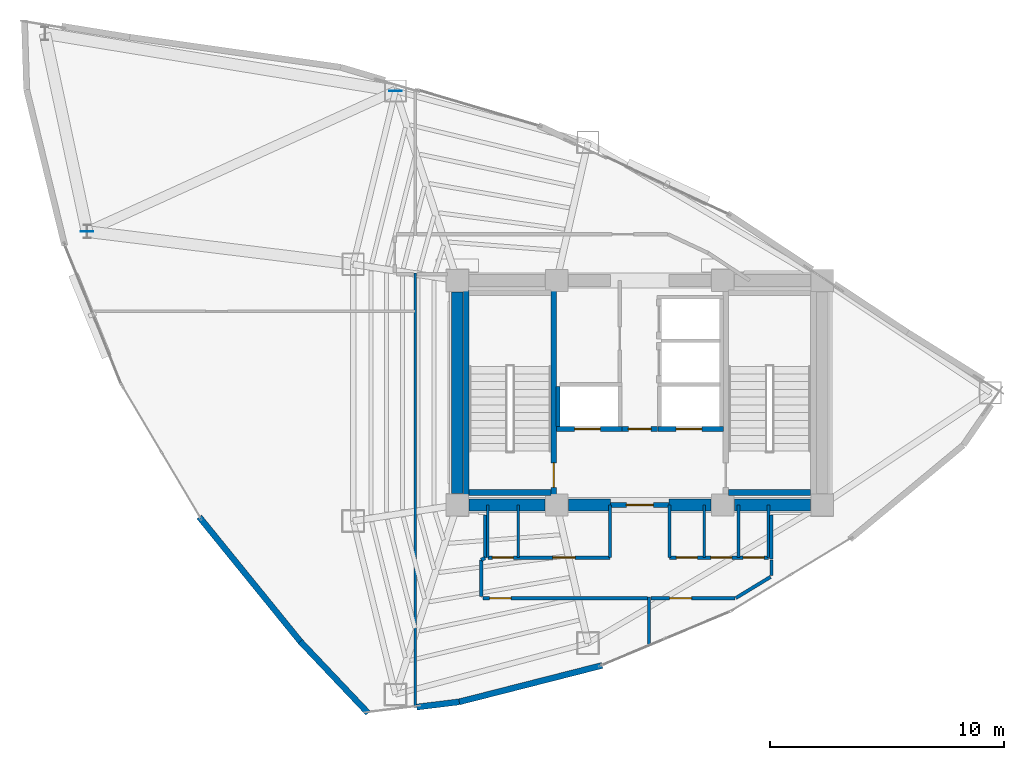
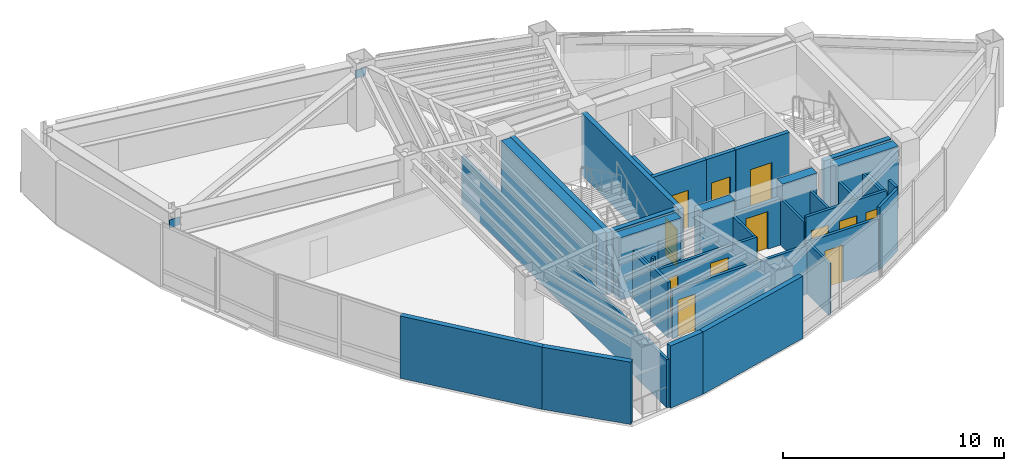
# One storey, part 12 of 16: 37 walls, 12 doors, 2 plates, 12 openings.
"""IFC4 building model written with IfcOpenShell, lengths in metres."""

from ifc_helpers import new_model, si_unit, direction, frame, frame_2d, origin, origin_2d, place, context, subcontext, project, spatial, rectangle, extrude, material, layer, layer_set, type_object, element, fill, save


model = new_model("IFC4")

# Units and contexts
model_context = context("Model", 3, precision=1e-05, world=origin(), true_north=direction((0.0, 1.0)))
body_context = subcontext(model_context, "Body", "Model", "MODEL_VIEW")
ifc_project = project(units=[si_unit("LENGTHUNIT", "METRE"), si_unit("AREAUNIT", "SQUARE_METRE"), si_unit("VOLUMEUNIT", "CUBIC_METRE"), si_unit("PLANEANGLEUNIT", "RADIAN"), si_unit("MASSUNIT", "GRAM", prefix="KILO")], contexts=[model_context])

# Site, building, storey
site_placement = place(None, origin())
site = spatial("IfcSite", under=ifc_project, at=site_placement, CompositionType="ELEMENT")
building_placement = place(site_placement, origin())
building = spatial("IfcBuilding", under=site, at=building_placement, Name="Menara Vayukalpa", CompositionType="ELEMENT")
storey_placement = place(building_placement, frame((0.0, 0.0, 202.679931640625)))
storey = spatial("IfcBuildingStorey", under=building, at=storey_placement, Name="L51", CompositionType="ELEMENT", Elevation=202.679931640625)

# Plates
ifc_material_1 = material(Name="Steel S355", Category="steel")
ifc_layer_1 = layer(ifc_material_1, 0.028076171875)
ifc_layer_set_1 = layer_set([ifc_layer_1], Name="Steel S355")
plate_type = type_object("IfcPlateType", Name="PLT-END1", PredefinedType="USERDEFINED", material=ifc_layer_set_1)
for number, where, z_axis, x_axis, name in (
    (1, (15.15478515625, 34.902587890625, 2.59521484375), (0.0, 0.0, 1.0), (1.0, 0.0, 0.0), "L51 Structural Brace End Gusset Plate 070"),
    (2, (1.96630859375, 28.889404296875, 2.59521484375), (0.0, 0.0, 1.0), (1.0, 0.0, 0.0), "L51 Structural Brace End Gusset Plate 071"),
):
    element("IfcPlate", number, at=place(storey_placement, frame(where, z_axis=z_axis, x_axis=x_axis)), inside=storey, type_object=plate_type, Name=name, ObjectType="GUSSET_PLATE", PredefinedType="USERDEFINED", context=body_context, shape_type="SweptSolid", body=[
        extrude(rectangle(XDim=0.5400390625, YDim=0.028076171875, at=origin_2d()), origin(), (0.0, 0.0, 1.0), 0.43994140625),
    ])

# Walls
ifc_material_2 = material(Name="Concrete C60/75", Category="concrete")
ifc_layer_2 = layer(ifc_material_2, 0.5)
ifc_layer_set_2 = layer_set([ifc_layer_2], Name="Concrete C60/75")
wall_type_1 = type_object("IfcWallType", Name="WAL-CW500", PredefinedType="SHEAR", material=ifc_layer_set_2)
wall_1_placement = place(storey_placement, frame((18.294921875, 17.199951171875, 0.0), z_axis=(0.0, 0.0, 1.0), x_axis=(1.0, 0.0, 0.0)))
element("IfcWall", 3, at=wall_1_placement, inside=storey, type_object=wall_type_1, Name="L51 Buttressed Core Shear Wall CWS1", PredefinedType="SHEAR", context=body_context, shape_type="SweptSolid", body=[
    extrude(rectangle(XDim=3.260009765625, YDim=0.5, at=frame_2d((1.6298828125, 0.0))), origin(), (0.0, 0.0, 1.0), 3.440185546875),
])
wall_2_placement = place(storey_placement, frame((22.544921875, 17.199951171875, 0.0), z_axis=(0.0, 0.0, 1.0), x_axis=(1.0, 0.0, 0.0)))
element("IfcWall", 4, at=wall_2_placement, inside=storey, type_object=wall_type_1, Name="L51 Buttressed Core Shear Wall CWS2", PredefinedType="SHEAR", context=body_context, shape_type="SweptSolid", body=[
    extrude(rectangle(XDim=1.80517578125, YDim=0.5, at=frame_2d((0.902587890625, 0.0))), origin(), (0.0, 0.0, 1.0), 3.440185546875),
])
wall_3_placement = place(storey_placement, frame((26.85009765625, 17.199951171875, 0.0), z_axis=(0.0, 0.0, 1.0), x_axis=(1.0, 0.0, 0.0)))
element("IfcWall", 5, at=wall_3_placement, inside=storey, type_object=wall_type_1, Name="L51 Buttressed Core Shear Wall CWS3", PredefinedType="SHEAR", context=body_context, shape_type="SweptSolid", body=[
    extrude(rectangle(XDim=1.804931640625, YDim=0.5, at=frame_2d((0.90234375, 0.0))), origin(), (0.0, 0.0, 1.0), 3.440185546875),
])
wall_4_placement = place(storey_placement, frame((29.64501953125, 17.199951171875, 0.0), z_axis=(0.0, 0.0, 1.0), x_axis=(1.0, 0.0, 0.0)))
element("IfcWall", 6, at=wall_4_placement, inside=storey, type_object=wall_type_1, Name="L51 Buttressed Core Shear Wall CWS4", PredefinedType="SHEAR", context=body_context, shape_type="SweptSolid", body=[
    extrude(rectangle(XDim=3.260009765625, YDim=0.5, at=frame_2d((1.6298828125, 0.0))), origin(), (0.0, 0.0, 1.0), 3.440185546875),
])
wall_5_placement = place(storey_placement, frame((17.800048828125, 17.695068359375, 0.0), z_axis=(0.0, 0.0, 1.0), x_axis=(0.0, 1.0, 0.0)))
element("IfcWall", 7, at=wall_5_placement, inside=storey, type_object=wall_type_1, Name="L51 Buttressed Core Shear Wall CWW1", PredefinedType="SHEAR", context=body_context, shape_type="SweptSolid", body=[
    extrude(rectangle(XDim=8.60986328125, YDim=0.5, at=frame_2d((4.304931640625, 0.0))), origin(), (0.0, 0.0, 1.0), 3.440185546875),
])
ifc_material_3 = material(Name="Insulated Precast Concrete C40/50", Category="concrete")
ifc_layer_3 = layer(ifc_material_3, 0.260009765625)
ifc_layer_set_3 = layer_set([ifc_layer_3], Name="Insulated Precast Concrete C40/50")
wall_type_2 = type_object("IfcWallType", Name="WAL-EXT260", PredefinedType="PARTITIONING", material=ifc_layer_set_3)
wall_6_placement = place(storey_placement, frame((11.09228515625, 11.352783203125, 0.0), z_axis=(0.0, 0.0, 1.0), x_axis=(-0.630146833264, 0.77647599353, 0.0)))
element("IfcWall", 8, at=wall_6_placement, inside=storey, type_object=wall_type_2, Name="L51 Perimeter Terracotta Pier Wall 15", PredefinedType="PARTITIONING", context=body_context, shape_type="SweptSolid", body=[
    extrude(rectangle(XDim=6.8671875, YDim=0.260009765625, at=frame_2d((3.43359375, 0.0))), origin(), (0.0, 0.0, 1.0), 3.440185546875),
])
wall_7_placement = place(storey_placement, frame((13.982177734375, 8.302978515625, 0.0), z_axis=(0.0, 0.0, 1.0), x_axis=(-0.687757504743, 0.725940503533, 0.0)))
element("IfcWall", 9, at=wall_7_placement, inside=storey, type_object=wall_type_2, Name="L51 Perimeter Terracotta Pier Wall 16", PredefinedType="PARTITIONING", context=body_context, shape_type="SweptSolid", body=[
    extrude(rectangle(XDim=4.213623046875, YDim=0.260009765625, at=frame_2d((2.10693359375, 0.0))), origin(), (0.0, 0.0, 1.0), 3.440185546875),
])
wall_8_placement = place(storey_placement, frame((17.881591796875, 8.779296875, 0.0), z_axis=(0.0, 0.0, 1.0), x_axis=(-0.992628301661, -0.121198410642, 0.0)))
element("IfcWall", 10, at=wall_8_placement, inside=storey, type_object=wall_type_2, Name="L51 Perimeter Terracotta Pier Wall 17", PredefinedType="PARTITIONING", context=body_context, shape_type="SweptSolid", body=[
    extrude(rectangle(XDim=1.8330078125, YDim=0.260009765625, at=frame_2d((0.91650390625, 0.0))), origin(), (0.0, 0.0, 1.0), 3.440185546875),
])
wall_9_placement = place(storey_placement, frame((23.9951171875, 10.338623046875, 0.0), z_axis=(0.0, 0.0, 1.0), x_axis=(-0.968977477196, -0.247149041446, 0.0)))
element("IfcWall", 11, at=wall_9_placement, inside=storey, type_object=wall_type_2, Name="L51 Perimeter Terracotta Pier Wall 18", PredefinedType="PARTITIONING", context=body_context, shape_type="SweptSolid", body=[
    extrude(rectangle(XDim=6.309326171875, YDim=0.260009765625, at=frame_2d((3.15478515625, 0.0))), origin(), (0.0, 0.0, 1.0), 3.440185546875),
])
ifc_material_4 = material(Name="Lightweight Concrete Blockwork C16/20", Category="masonry")
ifc_layer_4 = layer(ifc_material_4, 0.159912109375)
ifc_layer_set_4 = layer_set([ifc_layer_4], Name="Lightweight Concrete Blockwork C16/20")
wall_type_3 = type_object("IfcWallType", Name="WAL-FR150", PredefinedType="PARTITIONING", material=ifc_layer_set_4)
wall_10_placement = place(storey_placement, frame((22.10498046875, 20.56005859375, 0.0), z_axis=(0.0, 0.0, 1.0), x_axis=(0.0, 1.0, 0.0)))
element("IfcWall", 12, at=wall_10_placement, inside=storey, type_object=wall_type_3, Name="L51 Interior Partition IW-L51-SHW-WW", PredefinedType="PARTITIONING", context=body_context, shape_type="SweptSolid", body=[
    extrude(rectangle(XDim=1.7099609375, YDim=0.159912109375, at=frame_2d((0.85498046875, 0.0))), origin(), (0.0, 0.0, 1.0), 3.440185546875),
])

# Wall, opening, door
ifc_material_5 = material(Name="Lightweight Concrete Blockwork C16/20", Category="masonry")
ifc_layer_5 = layer(ifc_material_5, 0.199951171875)
ifc_layer_set_5 = layer_set([ifc_layer_5], Name="Lightweight Concrete Blockwork C16/20")
wall_type_4 = type_object("IfcWallType", Name="WAL-FR200", PredefinedType="PARTITIONING", material=ifc_layer_set_5)
wall_11_placement = place(storey_placement, frame((24.35009765625, 17.199951171875, 0.0), z_axis=(0.0, 0.0, 1.0), x_axis=(1.0, 0.0, 0.0)))
wall_11 = element("IfcWall", 13, at=wall_11_placement, inside=storey, type_object=wall_type_4, Name="L51 Interior Partition IW-L51-FFLS", PredefinedType="PARTITIONING", context=body_context, shape_type="SweptSolid", body=[
    extrude(rectangle(XDim=2.5, YDim=0.199951171875, at=frame_2d((1.25, 0.0))), origin(), (0.0, 0.0, 1.0), 2.570068359375),
])
opening_1_placement = place(wall_11_placement, frame((0.679931640625, 0.0, 0.0)))
opening_1 = element("IfcOpeningElement", 14, at=opening_1_placement, cuts=wall_11, Name="Opening ID2", PredefinedType="OPENING", context=body_context, shape_type="SweptSolid", body=[
    extrude(rectangle(XDim=1.14990234375, YDim=2.080078125, at=frame_2d((0.574951171875, 1.0400390625))), frame((0.0, 0.10986328125, 0.0), z_axis=(0.0, -1.0, 0.0), x_axis=(1.0, 0.0, 0.0)), (0.0, 0.0, 1.0), 0.219970703125),
])
ifc_material_6 = material(Name="Fire-Rated Powder-Coated Steel Door", Category="steel")
door_type_1 = type_object("IfcDoorType", Name="DR-FD60W", OperationType="NOTDEFINED", PredefinedType="DOOR", material=ifc_material_6)
door_1_placement = place(opening_1_placement, origin())
door_1 = element("IfcDoor", 15, at=door_1_placement, inside=storey, type_object=door_type_1, Name="L51 Interior Door DR-L51-FFLS", OperationType="SINGLE_SWING_RIGHT", OverallHeight=2.080078125, OverallWidth=1.14990234375, PredefinedType="DOOR", context=body_context, shape_type="SweptSolid", body=[
    extrude(rectangle(XDim=1.14990234375, YDim=2.080078125, at=frame_2d((0.574951171875, 1.0400390625))), frame((0.0, 0.02490234375, 0.0), z_axis=(0.0, -1.0, 0.0), x_axis=(1.0, 0.0, 0.0)), (0.0, 0.0, 1.0), 0.050048828125),
])
fill(opening_1, door_1)

wall_12_placement = place(storey_placement, frame((24.840087890625, 20.449951171875, 0.0), z_axis=(0.0, 0.0, 1.0), x_axis=(1.0, 0.0, 0.0)))
wall_12 = element("IfcWall", 16, at=wall_12_placement, inside=storey, type_object=wall_type_4, Name="L51 Interior Partition IW-L51-FFLN", PredefinedType="PARTITIONING", context=body_context, shape_type="SweptSolid", body=[
    extrude(rectangle(XDim=1.52001953125, YDim=0.199951171875, at=frame_2d((0.760009765625, 0.0))), origin(), (0.0, 0.0, 1.0), 3.440185546875),
])
opening_2_placement = place(wall_12_placement, frame((0.27001953125, 0.0, 0.0)))
opening_2 = element("IfcOpeningElement", 17, at=opening_2_placement, cuts=wall_12, Name="Opening ID3", PredefinedType="OPENING", context=body_context, shape_type="SweptSolid", body=[
    extrude(rectangle(XDim=0.97998046875, YDim=2.06005859375, at=frame_2d((0.489990234375, 1.030029296875))), frame((0.0, 0.10986328125, 0.0), z_axis=(0.0, -1.0, 0.0), x_axis=(1.0, 0.0, 0.0)), (0.0, 0.0, 1.0), 0.219970703125),
])
ifc_material_7 = material(Name="Fire-Rated Powder-Coated Steel Door", Category="steel")
door_type_2 = type_object("IfcDoorType", Name="DR-FD60", OperationType="NOTDEFINED", PredefinedType="DOOR", material=ifc_material_7)
door_2_placement = place(opening_2_placement, origin())
door_2 = element("IfcDoor", 18, at=door_2_placement, inside=storey, type_object=door_type_2, Name="L51 Interior Door DR-L51-FFLN", OperationType="SINGLE_SWING_LEFT", OverallHeight=2.06005859375, OverallWidth=0.97998046875, PredefinedType="DOOR", context=body_context, shape_type="SweptSolid", body=[
    extrude(rectangle(XDim=0.97998046875, YDim=2.06005859375, at=frame_2d((0.489990234375, 1.030029296875))), frame((0.0, 0.02490234375, 0.0), z_axis=(0.0, -1.0, 0.0), x_axis=(1.0, 0.0, 0.0)), (0.0, 0.0, 1.0), 0.050048828125),
])
fill(opening_2, door_2)

wall_13_placement = place(storey_placement, frame((22.030029296875, 20.449951171875, 0.0), z_axis=(0.0, 0.0, 1.0), x_axis=(1.0, 0.0, 0.0)))
wall_13 = element("IfcWall", 19, at=wall_13_placement, inside=storey, type_object=wall_type_4, Name="L51 Interior Partition IW-L51-SH-W1", PredefinedType="PARTITIONING", context=body_context, shape_type="SweptSolid", body=[
    extrude(rectangle(XDim=2.800048828125, YDim=0.199951171875, at=frame_2d((1.39990234375, 0.0))), origin(), (0.0, 0.0, 1.0), 3.440185546875),
])
opening_3_placement = place(wall_13_placement, frame((0.780029296875, 0.0, 0.0)))
opening_3 = element("IfcOpeningElement", 20, at=opening_3_placement, cuts=wall_13, Name="Opening LD1", PredefinedType="OPENING", context=body_context, shape_type="SweptSolid", body=[
    extrude(rectangle(XDim=1.10009765625, YDim=2.080078125, at=frame_2d((0.550048828125, 1.0400390625))), frame((0.0, 0.10986328125, 0.0), z_axis=(0.0, -1.0, 0.0), x_axis=(1.0, 0.0, 0.0)), (0.0, 0.0, 1.0), 0.219970703125),
])
ifc_material_8 = material(Name="Brushed Stainless Steel 316 Lift Door", Category="steel")
door_type_3 = type_object("IfcDoorType", Name="DR-LD110", OperationType="NOTDEFINED", PredefinedType="DOOR", material=ifc_material_8)
door_3_placement = place(opening_3_placement, origin())
door_3 = element("IfcDoor", 21, at=door_3_placement, inside=storey, type_object=door_type_3, Name="L51 Interior Door DR-L51-LD-W1", OperationType="DOUBLE_DOOR_SLIDING", OverallHeight=2.080078125, OverallWidth=1.10009765625, PredefinedType="DOOR", context=body_context, shape_type="SweptSolid", body=[
    extrude(rectangle(XDim=1.10009765625, YDim=2.080078125, at=frame_2d((0.550048828125, 1.0400390625))), frame((0.0, 0.02490234375, 0.0), z_axis=(0.0, -1.0, 0.0), x_axis=(1.0, 0.0, 0.0)), (0.0, 0.0, 1.0), 0.050048828125),
])
fill(opening_3, door_3)

wall_14_placement = place(storey_placement, frame((26.3701171875, 20.449951171875, 0.0), z_axis=(0.0, 0.0, 1.0), x_axis=(1.0, 0.0, 0.0)))
wall_14 = element("IfcWall", 22, at=wall_14_placement, inside=storey, type_object=wall_type_4, Name="L51 Interior Partition IW-L51-SH-E1", PredefinedType="PARTITIONING", context=body_context, shape_type="SweptSolid", body=[
    extrude(rectangle(XDim=2.7998046875, YDim=0.199951171875, at=frame_2d((1.39990234375, 0.0))), origin(), (0.0, 0.0, 1.0), 3.440185546875),
])
opening_4_placement = place(wall_14_placement, frame((0.780029296875, 0.0, 0.0)))
opening_4 = element("IfcOpeningElement", 23, at=opening_4_placement, cuts=wall_14, Name="Opening LD1", PredefinedType="OPENING", context=body_context, shape_type="SweptSolid", body=[
    extrude(rectangle(XDim=1.10009765625, YDim=2.080078125, at=frame_2d((0.550048828125, 1.0400390625))), frame((0.0, 0.10986328125, 0.0), z_axis=(0.0, -1.0, 0.0), x_axis=(1.0, 0.0, 0.0)), (0.0, 0.0, 1.0), 0.219970703125),
])
door_4_placement = place(opening_4_placement, origin())
door_4 = element("IfcDoor", 24, at=door_4_placement, inside=storey, type_object=door_type_3, Name="L51 Interior Door DR-L51-LD-E1", OperationType="DOUBLE_DOOR_SLIDING", OverallHeight=2.080078125, OverallWidth=1.10009765625, PredefinedType="DOOR", context=body_context, shape_type="SweptSolid", body=[
    extrude(rectangle(XDim=1.10009765625, YDim=2.080078125, at=frame_2d((0.550048828125, 1.0400390625))), frame((0.0, 0.02490234375, 0.0), z_axis=(0.0, -1.0, 0.0), x_axis=(1.0, 0.0, 0.0)), (0.0, 0.0, 1.0), 0.050048828125),
])
fill(opening_4, door_4)

# Walls
ifc_material_9 = material(Name="Acoustic Mineral Stud Partition", Category="masonry")
ifc_layer_6 = layer(ifc_material_9, 0.110107421875)
ifc_layer_set_6 = layer_set([ifc_layer_6], Name="Acoustic Mineral Stud Partition")
wall_type_5 = type_object("IfcWallType", Name="WAL-PT110", PredefinedType="PARTITIONING", material=ifc_layer_set_6)
for number, where, z_axis, x_axis, name in (
    (25, (20.39990234375, 14.949951171875, 0.0), (0.0, 0.0, 1.0), (0.0, 1.0, 0.0), "L51 Interior Partition IW-L51-SVCD-02"),
    (26, (28.35009765625, 14.949951171875, 0.0), (0.0, 0.0, 1.0), (0.0, 1.0, 0.0), "L51 Interior Partition IW-L51-SVCD-05"),
):
    element("IfcWall", number, at=place(storey_placement, frame(where, z_axis=z_axis, x_axis=x_axis)), inside=storey, type_object=wall_type_5, Name=name, PredefinedType="PARTITIONING", context=body_context, shape_type="SweptSolid", body=[
        extrude(rectangle(XDim=2.25, YDim=0.110107421875, at=frame_2d((1.125, 0.0))), origin(), (0.0, 0.0, 1.0), 2.570068359375),
    ])
ifc_material_10 = material(Name="Gypsum Drywall Steel Stud Assembly", Category="steel")
ifc_layer_7 = layer(ifc_material_10, 0.125)
ifc_layer_set_7 = layer_set([ifc_layer_7], Name="Gypsum Drywall Steel Stud Assembly")
wall_type_6 = type_object("IfcWallType", Name="WAL-PT125", PredefinedType="PARTITIONING", material=ifc_layer_set_7)
for number, where, z_axis, x_axis, name in (
    (27, (19.10009765625, 14.949951171875, 0.0), (0.0, 0.0, 1.0), (0.0, 1.0, 0.0), "L51 Interior Partition IW-L51-SVCD-01"),
    (28, (24.320068359375, 14.949951171875, 0.0), (0.0, 0.0, 1.0), (0.0, 1.0, 0.0), "L51 Interior Partition IW-L51-SVCD-03"),
    (29, (26.8798828125, 14.949951171875, 0.0), (0.0, 0.0, 1.0), (0.0, 1.0, 0.0), "L51 Interior Partition IW-L51-SVCD-04"),
    (30, (29.830078125, 14.949951171875, 0.0), (0.0, 0.0, 1.0), (0.0, 1.0, 0.0), "L51 Interior Partition IW-L51-SVCD-06"),
    (31, (31.10009765625, 14.949951171875, 0.0), (0.0, 0.0, 1.0), (0.0, 1.0, 0.0), "L51 Interior Partition IW-L51-SVCD-07"),
):
    element("IfcWall", number, at=place(storey_placement, frame(where, z_axis=z_axis, x_axis=x_axis)), inside=storey, type_object=wall_type_6, Name=name, PredefinedType="PARTITIONING", context=body_context, shape_type="SweptSolid", body=[
        extrude(rectangle(XDim=2.25, YDim=0.125, at=frame_2d((1.125, 0.0))), origin(), (0.0, 0.0, 1.0), 2.570068359375),
    ])
wall_15_placement = place(storey_placement, frame((16.0, 8.539306640625, 0.0), z_axis=(0.0, 0.0, 1.0), x_axis=(0.0, 1.0, 0.0)))
element("IfcWall", 32, at=wall_15_placement, inside=storey, type_object=wall_type_6, Name="L51 Interior Partition IW-L51-RDIV01", PredefinedType="PARTITIONING", context=body_context, shape_type="SweptSolid", body=[
    extrude(rectangle(XDim=18.57080078125, YDim=0.125, at=frame_2d((9.285400390625, 0.0))), origin(), (0.0, 0.0, 1.0), 2.670166015625),
])
wall_16_placement = place(storey_placement, frame((26.0, 11.183837890625, 0.0), z_axis=(0.0, 0.0, 1.0), x_axis=(0.0, 1.0, 0.0)))
element("IfcWall", 33, at=wall_16_placement, inside=storey, type_object=wall_type_6, Name="L51 Interior Partition IW-L51-RDIV03", PredefinedType="PARTITIONING", context=body_context, shape_type="SweptSolid", body=[
    extrude(rectangle(XDim=2.076171875, YDim=0.125, at=frame_2d((1.0380859375, 0.0))), origin(), (0.0, 0.0, 1.0), 2.8701171875),
])

# Wall, openings, doors
ifc_material_11 = material(Name="Gypsum Drywall Acoustic Stud Assembly", Category="masonry")
ifc_layer_8 = layer(ifc_material_11, 0.14501953125)
ifc_layer_set_8 = layer_set([ifc_layer_8], Name="Gypsum Drywall Acoustic Stud Assembly")
wall_type_7 = type_object("IfcWallType", Name="WAL-PT150", PredefinedType="PARTITIONING", material=ifc_layer_set_8)
wall_17_placement = place(storey_placement, frame((19.10009765625, 14.949951171875, 0.0), z_axis=(0.0, 0.0, 1.0), x_axis=(1.0, 0.0, 0.0)))
wall_17 = element("IfcWall", 34, at=wall_17_placement, inside=storey, type_object=wall_type_7, Name="L51 Interior Partition IW-L51-SVCS-W", PredefinedType="PARTITIONING", context=body_context, shape_type="SweptSolid", body=[
    extrude(rectangle(XDim=5.219970703125, YDim=0.14501953125, at=frame_2d((2.60986328125, 0.0))), origin(), (0.0, 0.0, 1.0), 2.670166015625),
])
opening_5_placement = place(wall_17_placement, frame((0.199951171875, 0.0, 0.0)))
opening_5 = element("IfcOpeningElement", 35, at=opening_5_placement, cuts=wall_17, Name="Opening ID7", PredefinedType="OPENING", context=body_context, shape_type="SweptSolid", body=[
    extrude(rectangle(XDim=0.89990234375, YDim=2.02001953125, at=frame_2d((0.449951171875, 1.010009765625))), frame((0.0, 0.08251953125, 0.0), z_axis=(0.0, -1.0, 0.0), x_axis=(1.0, 0.0, 0.0)), (0.0, 0.0, 1.0), 0.1650390625),
])
opening_6_placement = place(wall_17_placement, frame((2.784912109375, 0.0, 0.0)))
opening_6 = element("IfcOpeningElement", 36, at=opening_6_placement, cuts=wall_17, Name="Opening ID5", PredefinedType="OPENING", context=body_context, shape_type="SweptSolid", body=[
    extrude(rectangle(XDim=0.949951171875, YDim=2.06005859375, at=frame_2d((0.47509765625, 1.030029296875))), frame((0.0, 0.08251953125, 0.0), z_axis=(0.0, -1.0, 0.0), x_axis=(1.0, 0.0, 0.0)), (0.0, 0.0, 1.0), 0.1650390625),
])
ifc_material_12 = material(Name="Acoustic Hardwood Veneer Timber Door", Category="wood")
door_type_4 = type_object("IfcDoorType", Name="DR-INT95", OperationType="NOTDEFINED", PredefinedType="DOOR", material=ifc_material_12)
door_5_placement = place(opening_6_placement, origin())
door_5 = element("IfcDoor", 37, at=door_5_placement, inside=storey, type_object=door_type_4, Name="L51 Interior Door DR-L51-AWC", OperationType="SINGLE_SWING_RIGHT", OverallHeight=2.06005859375, OverallWidth=0.949951171875, PredefinedType="DOOR", context=body_context, shape_type="SweptSolid", body=[
    extrude(rectangle(XDim=0.949951171875, YDim=2.06005859375, at=frame_2d((0.47509765625, 1.030029296875))), frame((0.0, 0.02490234375, 0.0), z_axis=(0.0, -1.0, 0.0), x_axis=(1.0, 0.0, 0.0)), (0.0, 0.0, 1.0), 0.050048828125),
])
fill(opening_6, door_5)
ifc_material_13 = material(Name="Powder-Coated Steel Riser Access Door", Category="steel")
door_type_5 = type_object("IfcDoorType", Name="DR-RISER", OperationType="NOTDEFINED", PredefinedType="DOOR", material=ifc_material_13)
door_6_placement = place(opening_5_placement, origin())
door_6 = element("IfcDoor", 38, at=door_6_placement, inside=storey, type_object=door_type_5, Name="L51 Interior Door DR-L51-ELR", OperationType="SINGLE_SWING_LEFT", OverallHeight=2.02001953125, OverallWidth=0.89990234375, PredefinedType="DOOR", context=body_context, shape_type="SweptSolid", body=[
    extrude(rectangle(XDim=0.89990234375, YDim=2.02001953125, at=frame_2d((0.449951171875, 1.010009765625))), frame((0.0, 0.02490234375, 0.0), z_axis=(0.0, -1.0, 0.0), x_axis=(1.0, 0.0, 0.0)), (0.0, 0.0, 1.0), 0.050048828125),
])
fill(opening_5, door_6)

wall_18_placement = place(storey_placement, frame((26.8798828125, 14.949951171875, 0.0), z_axis=(0.0, 0.0, 1.0), x_axis=(1.0, 0.0, 0.0)))
wall_18 = element("IfcWall", 39, at=wall_18_placement, inside=storey, type_object=wall_type_7, Name="L51 Interior Partition IW-L51-SVCS-E", PredefinedType="PARTITIONING", context=body_context, shape_type="SweptSolid", body=[
    extrude(rectangle(XDim=4.22021484375, YDim=0.14501953125, at=frame_2d((2.110107421875, 0.0))), origin(), (0.0, 0.0, 1.0), 2.8701171875),
])
opening_7_placement = place(wall_18_placement, frame((0.280029296875, 0.0, 0.0)))
opening_7 = element("IfcOpeningElement", 40, at=opening_7_placement, cuts=wall_18, Name="Opening ID7", PredefinedType="OPENING", context=body_context, shape_type="SweptSolid", body=[
    extrude(rectangle(XDim=0.89990234375, YDim=2.02001953125, at=frame_2d((0.449951171875, 1.010009765625))), frame((0.0, 0.08251953125, 0.0), z_axis=(0.0, -1.0, 0.0), x_axis=(1.0, 0.0, 0.0)), (0.0, 0.0, 1.0), 0.1650390625),
])
opening_8_placement = place(wall_18_placement, frame((1.760009765625, 0.0, 0.0)))
opening_8 = element("IfcOpeningElement", 41, at=opening_8_placement, cuts=wall_18, Name="Opening ID7", PredefinedType="OPENING", context=body_context, shape_type="SweptSolid", body=[
    extrude(rectangle(XDim=0.89990234375, YDim=2.02001953125, at=frame_2d((0.449951171875, 1.010009765625))), frame((0.0, 0.08251953125, 0.0), z_axis=(0.0, -1.0, 0.0), x_axis=(1.0, 0.0, 0.0)), (0.0, 0.0, 1.0), 0.1650390625),
])
opening_9_placement = place(wall_18_placement, frame((3.139892578125, 0.0, 0.0)))
opening_9 = element("IfcOpeningElement", 42, at=opening_9_placement, cuts=wall_18, Name="Opening ID7", PredefinedType="OPENING", context=body_context, shape_type="SweptSolid", body=[
    extrude(rectangle(XDim=0.89990234375, YDim=2.02001953125, at=frame_2d((0.449951171875, 1.010009765625))), frame((0.0, 0.08251953125, 0.0), z_axis=(0.0, -1.0, 0.0), x_axis=(1.0, 0.0, 0.0)), (0.0, 0.0, 1.0), 0.1650390625),
])
door_7_placement = place(opening_7_placement, origin())
door_7 = element("IfcDoor", 43, at=door_7_placement, inside=storey, type_object=door_type_5, Name="L51 Interior Door DR-L51-KSV1", OperationType="SINGLE_SWING_LEFT", OverallHeight=2.02001953125, OverallWidth=0.89990234375, PredefinedType="DOOR", context=body_context, shape_type="SweptSolid", body=[
    extrude(rectangle(XDim=0.89990234375, YDim=2.02001953125, at=frame_2d((0.449951171875, 1.010009765625))), frame((0.0, 0.02490234375, 0.0), z_axis=(0.0, -1.0, 0.0), x_axis=(1.0, 0.0, 0.0)), (0.0, 0.0, 1.0), 0.050048828125),
])
fill(opening_7, door_7)
door_8_placement = place(opening_8_placement, origin())
door_8 = element("IfcDoor", 44, at=door_8_placement, inside=storey, type_object=door_type_5, Name="L51 Interior Door DR-L51-KSV2", OperationType="SINGLE_SWING_RIGHT", OverallHeight=2.02001953125, OverallWidth=0.89990234375, PredefinedType="DOOR", context=body_context, shape_type="SweptSolid", body=[
    extrude(rectangle(XDim=0.89990234375, YDim=2.02001953125, at=frame_2d((0.449951171875, 1.010009765625))), frame((0.0, 0.02490234375, 0.0), z_axis=(0.0, -1.0, 0.0), x_axis=(1.0, 0.0, 0.0)), (0.0, 0.0, 1.0), 0.050048828125),
])
fill(opening_8, door_8)
door_9_placement = place(opening_9_placement, origin())
door_9 = element("IfcDoor", 45, at=door_9_placement, inside=storey, type_object=door_type_5, Name="L51 Interior Door DR-L51-SMD", OperationType="SINGLE_SWING_LEFT", OverallHeight=2.02001953125, OverallWidth=0.89990234375, PredefinedType="DOOR", context=body_context, shape_type="SweptSolid", body=[
    extrude(rectangle(XDim=0.89990234375, YDim=2.02001953125, at=frame_2d((0.449951171875, 1.010009765625))), frame((0.0, 0.02490234375, 0.0), z_axis=(0.0, -1.0, 0.0), x_axis=(1.0, 0.0, 0.0)), (0.0, 0.0, 1.0), 0.050048828125),
])
fill(opening_9, door_9)

# Walls
wall_19_placement = place(storey_placement, frame((18.97998046875, 16.780029296875, 0.0), z_axis=(0.0, 0.0, 1.0), x_axis=(0.0, -1.0, 0.0)))
element("IfcWall", 46, at=wall_19_placement, inside=storey, type_object=wall_type_7, Name="L51 Interior Partition IW-L51-CRM02-2", PredefinedType="PARTITIONING", context=body_context, shape_type="SweptSolid", body=[
    extrude(rectangle(XDim=1.85009765625, YDim=0.14501953125, at=frame_2d((0.925048828125, 0.0))), origin(), (0.0, 0.0, 1.0), 2.570068359375),
])
wall_20_placement = place(storey_placement, frame((18.820068359375, 14.85009765625, 0.0), z_axis=(0.0, 0.0, 1.0), x_axis=(0.0, -1.0, 0.0)))
element("IfcWall", 47, at=wall_20_placement, inside=storey, type_object=wall_type_7, Name="L51 Interior Partition IW-L51-CRM02-3", PredefinedType="PARTITIONING", context=body_context, shape_type="SweptSolid", body=[
    extrude(rectangle(XDim=1.56005859375, YDim=0.14501953125, at=frame_2d((0.780029296875, 0.0))), origin(), (0.0, 0.0, 1.0), 3.070068359375),
])

# Wall, opening, door
wall_21_placement = place(storey_placement, frame((18.89990234375, 13.2099609375, 0.0), z_axis=(0.0, 0.0, 1.0), x_axis=(1.0, 0.0, 0.0)))
wall_21 = element("IfcWall", 48, at=wall_21_placement, inside=storey, type_object=wall_type_7, Name="L51 Interior Partition IW-L51-CRM02-4", PredefinedType="PARTITIONING", context=body_context, shape_type="SweptSolid", body=[
    extrude(rectangle(XDim=7.030029296875, YDim=0.14501953125, at=frame_2d((3.51513671875, 0.0))), origin(), (0.0, 0.0, 1.0), 2.670166015625),
])
opening_10_placement = place(wall_21_placement, frame((0.280029296875, 0.0, 0.0)))
opening_10 = element("IfcOpeningElement", 49, at=opening_10_placement, cuts=wall_21, Name="Opening ID6", PredefinedType="OPENING", context=body_context, shape_type="SweptSolid", body=[
    extrude(rectangle(XDim=0.919921875, YDim=2.050048828125, at=frame_2d((0.4599609375, 1.02490234375))), frame((0.0, 0.08251953125, 0.0), z_axis=(0.0, -1.0, 0.0), x_axis=(1.0, 0.0, 0.0)), (0.0, 0.0, 1.0), 0.1650390625),
])
ifc_material_14 = material(Name="Acoustic Hardwood Veneer Timber Door", Category="wood")
door_type_6 = type_object("IfcDoorType", Name="DR-INT92", OperationType="NOTDEFINED", PredefinedType="DOOR", material=ifc_material_14)
door_10_placement = place(opening_10_placement, origin())
door_10 = element("IfcDoor", 50, at=door_10_placement, inside=storey, type_object=door_type_6, Name="L51 Interior Door DR-L51-RM02", OperationType="SINGLE_SWING_RIGHT", OverallHeight=2.050048828125, OverallWidth=0.919921875, PredefinedType="DOOR", context=body_context, shape_type="SweptSolid", body=[
    extrude(rectangle(XDim=0.919921875, YDim=2.050048828125, at=frame_2d((0.4599609375, 1.02490234375))), frame((0.0, 0.02490234375, 0.0), z_axis=(0.0, -1.0, 0.0), x_axis=(1.0, 0.0, 0.0)), (0.0, 0.0, 1.0), 0.050048828125),
])
fill(opening_10, door_10)

wall_22_placement = place(storey_placement, frame((26.070068359375, 13.2099609375, 0.0), z_axis=(0.0, 0.0, 1.0), x_axis=(1.0, 0.0, 0.0)))
wall_22 = element("IfcWall", 51, at=wall_22_placement, inside=storey, type_object=wall_type_7, Name="L51 Interior Partition IW-L51-CRM03-1", PredefinedType="PARTITIONING", context=body_context, shape_type="SweptSolid", body=[
    extrude(rectangle(XDim=3.597412109375, YDim=0.14501953125, at=frame_2d((1.798828125, 0.0))), origin(), (0.0, 0.0, 1.0), 2.8701171875),
])
opening_11_placement = place(wall_22_placement, frame((0.802001953125, 0.0, 0.0)))
opening_11 = element("IfcOpeningElement", 52, at=opening_11_placement, cuts=wall_22, Name="Opening ID5", PredefinedType="OPENING", context=body_context, shape_type="SweptSolid", body=[
    extrude(rectangle(XDim=0.949951171875, YDim=2.06005859375, at=frame_2d((0.47509765625, 1.030029296875))), frame((0.0, 0.08251953125, 0.0), z_axis=(0.0, -1.0, 0.0), x_axis=(1.0, 0.0, 0.0)), (0.0, 0.0, 1.0), 0.1650390625),
])
door_11_placement = place(opening_11_placement, origin())
door_11 = element("IfcDoor", 53, at=door_11_placement, inside=storey, type_object=door_type_4, Name="L51 Interior Door DR-L51-RM03", OperationType="SINGLE_SWING_LEFT", OverallHeight=2.06005859375, OverallWidth=0.949951171875, PredefinedType="DOOR", context=body_context, shape_type="SweptSolid", body=[
    extrude(rectangle(XDim=0.949951171875, YDim=2.06005859375, at=frame_2d((0.47509765625, 1.030029296875))), frame((0.0, 0.02490234375, 0.0), z_axis=(0.0, -1.0, 0.0), x_axis=(1.0, 0.0, 0.0)), (0.0, 0.0, 1.0), 0.050048828125),
])
fill(opening_11, door_11)

# Walls
wall_23_placement = place(storey_placement, frame((29.708984375, 13.2216796875, 0.0), z_axis=(0.0, 0.0, 1.0), x_axis=(0.854635840942, 0.519227868451, 0.0)))
element("IfcWall", 54, at=wall_23_placement, inside=storey, type_object=wall_type_7, Name="L51 Interior Partition IW-L51-CRM03-2", PredefinedType="PARTITIONING", context=body_context, shape_type="SweptSolid", body=[
    extrude(rectangle(XDim=1.734619140625, YDim=0.14501953125, at=frame_2d((0.8671875, 0.0))), origin(), (0.0, 0.0, 1.0), 3.440185546875),
])
wall_24_placement = place(storey_placement, frame((31.22998046875, 14.190673828125, 0.0), z_axis=(0.0, 0.0, 1.0), x_axis=(0.0, 1.0, 0.0)))
element("IfcWall", 55, at=wall_24_placement, inside=storey, type_object=wall_type_7, Name="L51 Interior Partition IW-L51-CRM03-3", PredefinedType="PARTITIONING", context=body_context, shape_type="SweptSolid", body=[
    extrude(rectangle(XDim=0.659423828125, YDim=0.14501953125, at=frame_2d((0.32958984375, 0.0))), origin(), (0.0, 0.0, 1.0), 3.440185546875),
])
wall_25_placement = place(storey_placement, frame((31.219970703125, 14.888671875, 0.0), z_axis=(0.0, 0.0, 1.0), x_axis=(0.0, 1.0, 0.0)))
element("IfcWall", 56, at=wall_25_placement, inside=storey, type_object=wall_type_7, Name="L51 Interior Partition IW-L51-CRM03-4", PredefinedType="PARTITIONING", context=body_context, shape_type="SweptSolid", body=[
    extrude(rectangle(XDim=1.891357421875, YDim=0.14501953125, at=frame_2d((0.94580078125, 0.0))), origin(), (0.0, 0.0, 1.0), 2.570068359375),
])
wall_26_placement = place(storey_placement, frame((18.820068359375, 14.85009765625, 0.0), z_axis=(0.0, 0.0, 1.0), x_axis=(0.89470021502, 0.446667130247, 0.0)))
element("IfcWall", 57, at=wall_26_placement, inside=storey, type_object=wall_type_7, Name="L51 Interior Partition IW-L51-CRM02-3-R0", PredefinedType="PARTITIONING", context=body_context, shape_type="SweptSolid", body=[
    extrude(rectangle(XDim=0.1787109375, YDim=0.14501953125, at=frame_2d((0.08935546875, 0.0))), origin(), (0.0, 0.0, 1.0), 3.440185546875),
])
ifc_material_15 = material(Name="Concrete C50/60", Category="concrete")
ifc_layer_9 = layer(ifc_material_15, 0.25)
ifc_layer_set_9 = layer_set([ifc_layer_9], Name="Concrete C50/60")
wall_type_8 = type_object("IfcWallType", Name="WAL-SW250", PredefinedType="SHEAR", material=ifc_layer_set_9)
wall_27_placement = place(storey_placement, frame((18.178955078125, 17.60009765625, 0.0), z_axis=(0.0, 0.0, 1.0), x_axis=(0.0, 1.0, 0.0)))
element("IfcWall", 58, at=wall_27_placement, inside=storey, type_object=wall_type_8, Name="L51 ST1 Structural Stair Shaft Wall W", PredefinedType="SHEAR", context=body_context, shape_type="SweptSolid", body=[
    extrude(rectangle(XDim=8.7998046875, YDim=0.25, at=frame_2d((4.39990234375, 0.0))), origin(), (0.0, 0.0, 1.0), 3.440185546875),
])

# Wall, opening, door
wall_28_placement = place(storey_placement, frame((21.925048828125, 17.60009765625, 0.0), z_axis=(0.0, 0.0, 1.0), x_axis=(0.0, 1.0, 0.0)))
wall_28 = element("IfcWall", 59, at=wall_28_placement, inside=storey, type_object=wall_type_8, Name="L51 ST1 Structural Stair Shaft Wall E", PredefinedType="SHEAR", context=body_context, shape_type="SweptSolid", body=[
    extrude(rectangle(XDim=8.7998046875, YDim=0.25, at=frame_2d((4.39990234375, 0.0))), origin(), (0.0, 0.0, 1.0), 3.440185546875),
])
opening_12_placement = place(wall_28_placement, frame((0.35009765625, 0.0, 0.0)))
opening_12 = element("IfcOpeningElement", 60, at=opening_12_placement, cuts=wall_28, Name="Opening ID1", PredefinedType="OPENING", context=body_context, shape_type="SweptSolid", body=[
    extrude(rectangle(XDim=1.050048828125, YDim=2.080078125, at=frame_2d((0.52490234375, 1.0400390625))), frame((0.0, 0.135009765625, 0.0), z_axis=(0.0, -1.0, 0.0), x_axis=(1.0, 0.0, 0.0)), (0.0, 0.0, 1.0), 0.27001953125),
])
ifc_material_16 = material(Name="Fire-Rated Powder-Coated Steel Door", Category="steel")
door_type_7 = type_object("IfcDoorType", Name="DR-FD120", OperationType="NOTDEFINED", PredefinedType="DOOR", material=ifc_material_16)
door_12_placement = place(opening_12_placement, origin())
door_12 = element("IfcDoor", 61, at=door_12_placement, inside=storey, type_object=door_type_7, Name="L51 Stair Exit Door DR-L51-ST1", OperationType="SINGLE_SWING_LEFT", OverallHeight=2.080078125, OverallWidth=1.050048828125, PredefinedType="DOOR", context=body_context, shape_type="SweptSolid", body=[
    extrude(rectangle(XDim=1.050048828125, YDim=2.080078125, at=frame_2d((0.52490234375, 1.0400390625))), frame((0.0, 0.02490234375, 0.0), z_axis=(0.0, -1.0, 0.0), x_axis=(1.0, 0.0, 0.0)), (0.0, 0.0, 1.0), 0.050048828125),
])
fill(opening_12, door_12)

# Walls
for number, where, z_axis, x_axis, name in (
    (62, (18.303955078125, 17.72509765625, 0.0), (0.0, 0.0, 1.0), (1.0, 0.0, 0.0), "L51 ST1 Structural Stair Shaft Wall S"),
    (63, (29.39990234375, 17.72509765625, 0.0), (0.0, 0.0, 1.0), (1.0, 0.0, 0.0), "L51 ST2 Structural Stair Shaft Wall S"),
):
    element("IfcWall", number, at=place(storey_placement, frame(where, z_axis=z_axis, x_axis=x_axis)), inside=storey, type_object=wall_type_8, Name=name, PredefinedType="SHEAR", context=body_context, shape_type="SweptSolid", body=[
        extrude(rectangle(XDim=3.49609375, YDim=0.25, at=frame_2d((1.748046875, 0.0))), origin(), (0.0, 0.0, 1.0), 3.440185546875),
    ])

save(model, "model.ifc")
